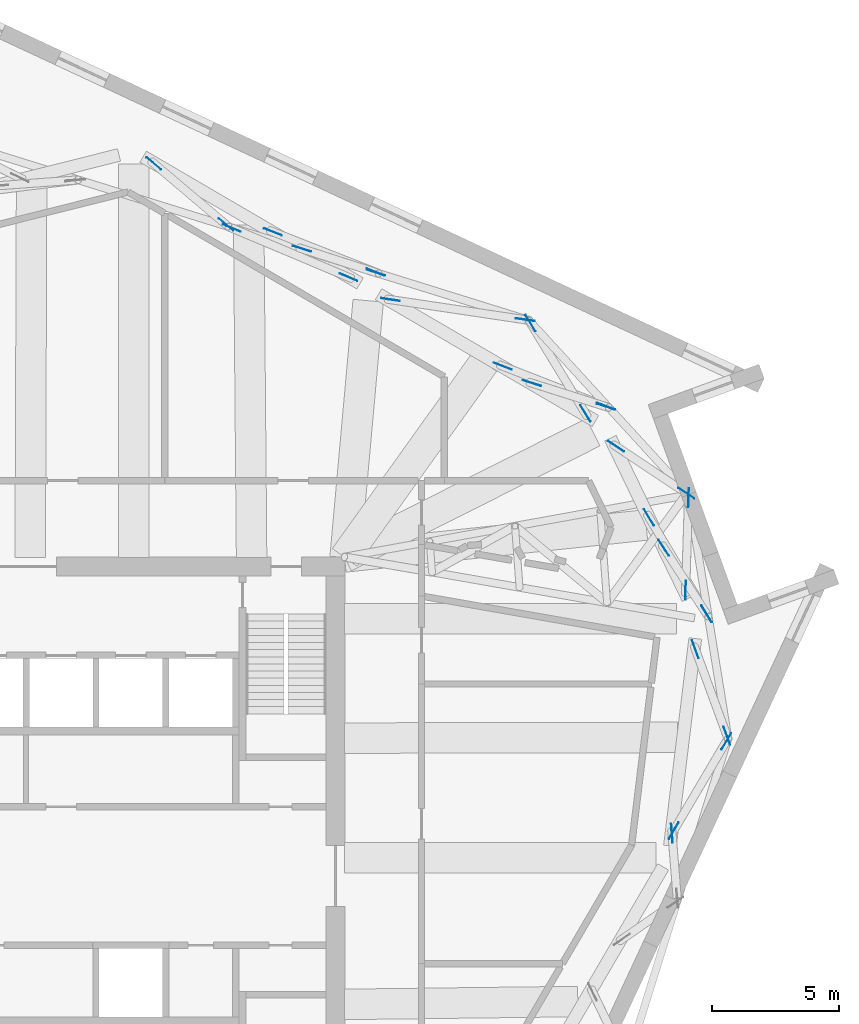
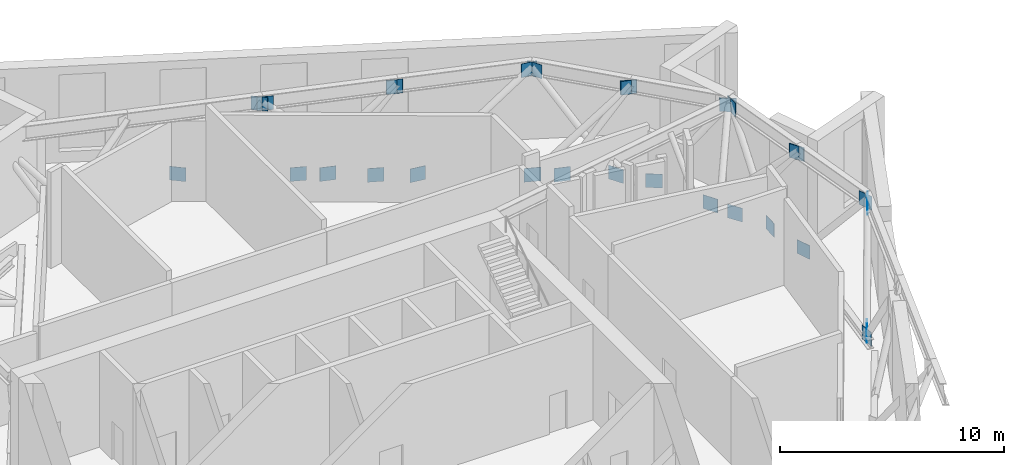
# One storey, part 13 of 15: 29 discrete accessories.
"""IFC4 building model written with IfcOpenShell, lengths in metres."""

from ifc_helpers import new_model, si_unit, direction, frame, origin, origin_2d, place, context, subcontext, project, spatial, rectangle, extrude, material, layer, layer_set, type_object, element, save


model = new_model("IFC4")

# Units and contexts
model_context = context("Model", 3, precision=1e-05, world=origin(), true_north=direction((0.0, 1.0)))
body_context = subcontext(model_context, "Body", "Model", "MODEL_VIEW")
ifc_project = project(units=[si_unit("LENGTHUNIT", "METRE"), si_unit("AREAUNIT", "SQUARE_METRE"), si_unit("VOLUMEUNIT", "CUBIC_METRE"), si_unit("PLANEANGLEUNIT", "RADIAN"), si_unit("MASSUNIT", "GRAM", prefix="KILO")], contexts=[model_context])

# Site, building, storey
site_placement = place(None, origin())
site = spatial("IfcSite", under=ifc_project, at=site_placement, CompositionType="ELEMENT")
building_placement = place(site_placement, origin())
building = spatial("IfcBuilding", under=site, at=building_placement, Name="Dilmun Exchange Tower", CompositionType="ELEMENT")
storey_placement = place(building_placement, frame((0.0, 0.0, 290.89990234375)))
storey = spatial("IfcBuildingStorey", under=building, at=storey_placement, Name="L69", CompositionType="ELEMENT", Elevation=290.89990234375)

# Discrete accessories
ifc_material = material(Name="Steel S355J2", Category="steel")
ifc_layer = layer(ifc_material, 0.02001953125)
ifc_layer_set = layer_set([ifc_layer], Name="Steel S355J2")
discrete_accessory_type = type_object("IfcDiscreteAccessoryType", Name="Gusset plate 20 x 750 x 750", PredefinedType="BRACKET", material=ifc_layer_set)
for number, where, z_axis, x_axis, name in (
    (1, (25.404052734375, 1.6767578125, 0.035888671875), (0.0, 0.0, 1.0), (-0.080529464307, 0.99675222868, 0.0), "Gusset plate L69-DG43 end 2"),
    (2, (27.56640625, 5.519287109375, 4.324462890625), (0.0, 0.0, 1.0), (-0.343653138463, 0.939096651269, 0.0), "Gusset plate L69-DG45 end 1"),
    (3, (26.3232421875, 8.916748046875, 0.018798828125), (0.0, 0.0, 1.0), (-0.343653138463, 0.939096651269, 0.0), "Gusset plate L69-DG45 end 2"),
    (4, (27.541259765625, 5.292724609375, 4.334228515625), (0.0, 0.0, 1.0), (-0.507827069161, -0.861459034329, 0.0), "Gusset plate L69-DG46 end 1"),
    (5, (25.471435546875, 1.781494140625, 0.18359375), (0.0, 0.0, 1.0), (-0.507827069161, -0.861459034329, 0.0), "Gusset plate L69-DG46 end 2"),
    (6, (26.774169921875, 10.29296875, 4.31640625), (0.0, 0.0, 1.0), (-0.543105573707, 0.839664418568, 0.0), "Gusset plate L69-DG47 end 1"),
    (7, (25.081298828125, 12.91015625, 0.02685546875), (0.0, 0.0, 1.0), (-0.543105573707, 0.839664418568, 0.0), "Gusset plate L69-DG47 end 2"),
    (8, (26.765380859375, 10.3154296875, 4.3369140625), (0.0, 0.0, 1.0), (-0.512892642169, 0.858452757936, 0.0), "Gusset plate L69-DG48 end 1"),
    (9, (24.502197265625, 14.10302734375, 0.00634765625), (0.0, 0.0, 1.0), (-0.512892642169, 0.858452757936, 0.0), "Gusset plate L69-DG48 end 2"),
    (10, (25.964599609375, 15.05859375, 4.319580078125), (0.0, 0.0, 1.0), (-0.832345143309, 0.554257667885, 0.0), "Gusset plate L69-DG49 end 1"),
    (11, (23.201904296875, 16.898193359375, 0.0234375), (0.0, 0.0, 1.0), (-0.832345143309, 0.554257667885, 0.0), "Gusset plate L69-DG49 end 2"),
    (12, (26.05615234375, 14.8740234375, 4.324951171875), (0.0, 0.0, 1.0), (-0.031920139644, -0.999490422508, 0.0), "Gusset plate L69-DG50 end 1"),
    (13, (25.93994140625, 11.233154296875, 0.018310546875), (0.0, 0.0, 1.0), (-0.031920139644, -0.999490422508, 0.0), "Gusset plate L69-DG50 end 2"),
    (14, (22.8125, 18.458984375, 4.3154296875), (0.0, 0.0, 1.0), (-0.953261358216, 0.302146955855, 0.0), "Gusset plate L69-DG51 end 1"),
    (15, (19.893310546875, 19.38427734375, 0.027587890625), (0.0, 0.0, 1.0), (-0.953261358216, 0.302146955855, 0.0), "Gusset plate L69-DG51 end 2"),
    (16, (22.792724609375, 18.47412109375, 4.335693359375), (0.0, 0.0, 1.0), (-0.931776157166, 0.363033322075, 0.0), "Gusset plate L69-DG52 end 1"),
    (17, (18.74755859375, 20.05029296875, 0.007568359375), (0.0, 0.0, 1.0), (-0.931776157166, 0.363033322075, 0.0), "Gusset plate L69-DG52 end 2"),
    (18, (19.840576171875, 21.74609375, 4.3330078125), (0.0, 0.0, 1.0), (0.519736826561, -0.854326419535, 0.0), "Gusset plate L69-DG53 end 1"),
    (19, (21.999755859375, 18.19677734375, 0.01025390625), (0.0, 0.0, 1.0), (0.519736826561, -0.854326419535, 0.0), "Gusset plate L69-DG53 end 2"),
    (20, (19.629150390625, 21.87841796875, 4.349853515625), (0.0, 0.0, 1.0), (-0.989044995425, 0.147614352366, 0.0), "Gusset plate L69-DG54 end 1"),
    (21, (14.33349609375, 22.668701171875, -0.006591796875), (0.0, 0.0, 1.0), (-0.989044995425, 0.147614352366, 0.0), "Gusset plate L69-DG54 end 2"),
    (22, (13.76171875, 23.7314453125, 4.3154296875), (0.0, 0.0, 1.0), (-0.951811958984, 0.306682237398, 0.0), "Gusset plate L69-DG55 end 1"),
    (23, (10.85009765625, 24.669677734375, 0.027587890625), (0.0, 0.0, 1.0), (-0.951811958984, 0.306682237398, 0.0), "Gusset plate L69-DG55 end 2"),
    (24, (13.741943359375, 23.74658203125, 4.335693359375), (0.0, 0.0, 1.0), (-0.930532022665, 0.366210533429, 0.0), "Gusset plate L69-DG56 end 1"),
    (25, (9.704345703125, 25.335693359375, 0.007568359375), (0.0, 0.0, 1.0), (-0.930532022665, 0.366210533429, 0.0), "Gusset plate L69-DG56 end 2"),
    (26, (7.864501953125, 25.6181640625, 4.326171875), (0.0, 0.0, 1.0), (-0.763170442817, 0.646197241723, 0.0), "Gusset plate L69-DG57 end 1"),
    (27, (5.024169921875, 28.023193359375, 0.01708984375), (0.0, 0.0, 1.0), (-0.763170442817, 0.646197241723, 0.0), "Gusset plate L69-DG57 end 2"),
    (28, (8.088134765625, 25.484130859375, 4.3447265625), (0.0, 0.0, 1.0), (0.921698717508, -0.387906527587, 0.0), "Gusset plate L69-DG58 end 1"),
    (29, (12.677978515625, 23.552490234375, -0.001708984375), (0.0, 0.0, 1.0), (0.921698717508, -0.387906527587, 0.0), "Gusset plate L69-DG58 end 2"),
):
    element("IfcDiscreteAccessory", number, at=place(storey_placement, frame(where, z_axis=z_axis, x_axis=x_axis)), inside=storey, type_object=discrete_accessory_type, Name=name, PredefinedType="BRACKET", context=body_context, shape_type="SweptSolid", body=[
        extrude(rectangle(XDim=0.75, YDim=0.02001953125, at=origin_2d()), origin(), (0.0, 0.0, 1.0), 0.75),
    ])

save(model, "model.ifc")
